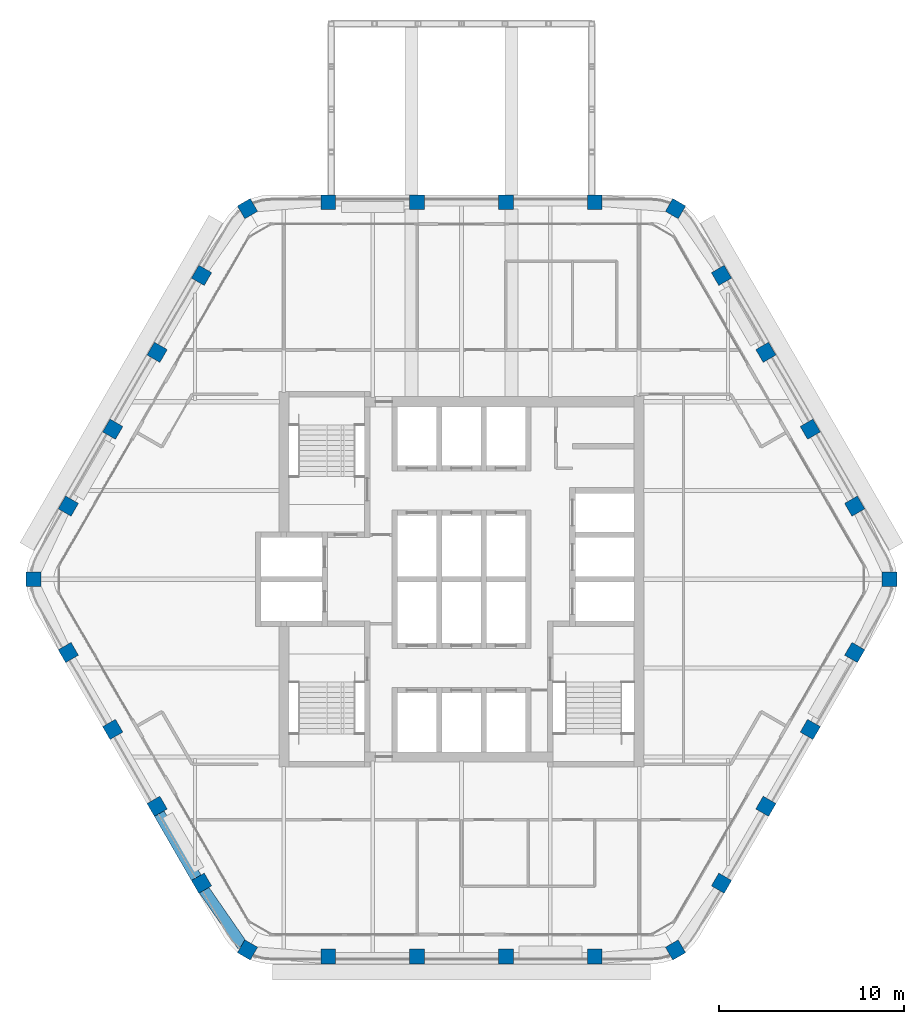
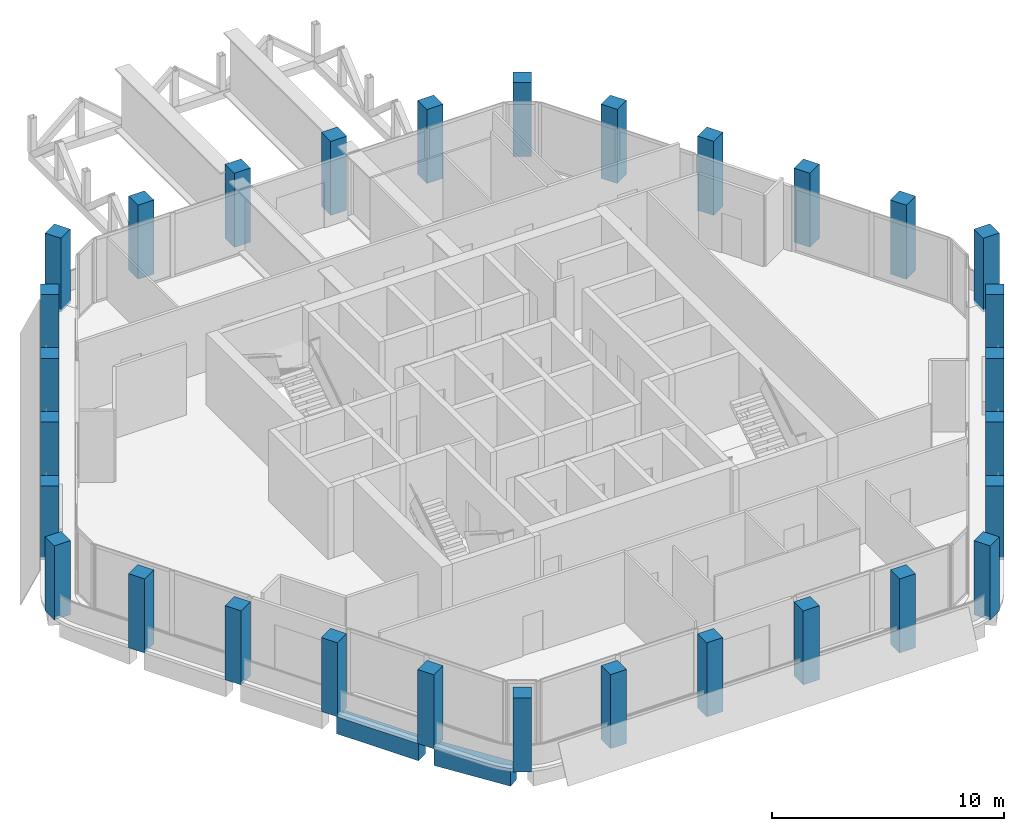
# One storey, part 1 of 14: 30 columns, 2 beams.
"""IFC4 building model written with IfcOpenShell, lengths in metres."""

from ifc_helpers import new_model, si_unit, direction, frame, origin, origin_2d, place, context, subcontext, project, spatial, rectangle, extrude, material, material_profile, profile_set, type_object, element, save


model = new_model("IFC4")

# Units and contexts
model_context = context("Model", 3, precision=1e-05, world=origin(), true_north=direction((0.0, 1.0)))
body_context = subcontext(model_context, "Body", "Model", "MODEL_VIEW")
ifc_project = project(units=[si_unit("LENGTHUNIT", "METRE"), si_unit("AREAUNIT", "SQUARE_METRE"), si_unit("VOLUMEUNIT", "CUBIC_METRE"), si_unit("PLANEANGLEUNIT", "RADIAN"), si_unit("MASSUNIT", "GRAM", prefix="KILO")], contexts=[model_context])

# Site, building, storey
site_placement = place(None, origin())
site = spatial("IfcSite", under=ifc_project, at=site_placement, CompositionType="ELEMENT")
building_placement = place(site_placement, origin())
building = spatial("IfcBuilding", under=site, at=building_placement, Name="Kolab Exchange Tower", CompositionType="ELEMENT")
storey_placement = place(building_placement, frame((0.0, 0.0, 265.699951171875)))
storey = spatial("IfcBuildingStorey", under=building, at=storey_placement, Name="L59", CompositionType="ELEMENT", Elevation=265.699951171875)

# Columns
ifc_material = material(Name="Concrete C50/60", Category="concrete")
ifc_material_profile_1 = material_profile(ifc_material, rectangle(XDim=0.800048828125, YDim=0.800048828125, at=origin_2d()), Name="RC800")
ifc_profile_set_1 = profile_set([ifc_material_profile_1], Name="Concrete C50/60")
column_type = type_object("IfcColumnType", Name="PERIMETER COLUMN 800 SQ C50/60", PredefinedType="COLUMN", material=ifc_profile_set_1)
for number, where, z_axis, x_axis, name in (
    (1, (-11.56787109375, 20.036376953125, -0.14990234375), (0.0, 0.0, 1.0), (0.866025403784, 0.5, 0.0), "col/L59/F1-01"),
    (2, (-7.199951171875, 20.384521484375, -0.14990234375), (0.0, 0.0, 1.0), (1.0, 0.0, 0.0), "col/L59/F1-02"),
    (3, (-2.39990234375, 20.384521484375, -0.14990234375), (0.0, 0.0, 1.0), (1.0, 0.0, 0.0), "col/L59/F1-03"),
    (4, (2.39990234375, 20.384521484375, -0.14990234375), (0.0, 0.0, 1.0), (1.0, 0.0, 0.0), "col/L59/F1-04"),
    (5, (7.199951171875, 20.384521484375, -0.14990234375), (0.0, 0.0, 1.0), (1.0, 0.0, 0.0), "col/L59/F1-05"),
    (6, (11.56787109375, 20.036376953125, -0.14990234375), (0.0, 0.0, 1.0), (0.5, 0.866025403784, 0.0), "col/L59/F2-01"),
    (7, (14.0537109375, 16.427734375, -0.14990234375), (0.0, 0.0, 1.0), (0.866025403784, 0.5, 0.0), "col/L59/F2-02"),
    (8, (16.45361328125, 12.270751953125, -0.14990234375), (0.0, 0.0, 1.0), (0.866025403784, 0.5, 0.0), "col/L59/F2-03"),
    (9, (18.853515625, 8.11376953125, -0.14990234375), (0.0, 0.0, 1.0), (0.866025403784, 0.5, 0.0), "col/L59/F2-04"),
    (10, (21.253662109375, 3.95703125, -0.14990234375), (0.0, 0.0, 1.0), (0.866025403784, 0.5, 0.0), "col/L59/F2-05"),
    (11, (23.135986328125, 0.0, -0.14990234375), (0.0, 0.0, 1.0), (1.0, 0.0, 0.0), "col/L59/F3-01"),
    (12, (21.253662109375, -3.95703125, -0.14990234375), (0.0, 0.0, 1.0), (0.5, 0.866025403784, 0.0), "col/L59/F3-02"),
    (13, (18.853515625, -8.11376953125, -0.14990234375), (0.0, 0.0, 1.0), (0.5, 0.866025403784, 0.0), "col/L59/F3-03"),
    (14, (16.45361328125, -12.270751953125, -0.14990234375), (0.0, 0.0, 1.0), (0.5, 0.866025403784, 0.0), "col/L59/F3-04"),
    (15, (14.0537109375, -16.427734375, -0.14990234375), (0.0, 0.0, 1.0), (0.5, 0.866025403784, 0.0), "col/L59/F3-05"),
    (16, (11.56787109375, -20.036376953125, -0.14990234375), (0.0, 0.0, 1.0), (0.866025403784, 0.5, 0.0), "col/L59/F4-01"),
    (17, (7.199951171875, -20.384521484375, -0.14990234375), (0.0, 0.0, 1.0), (1.0, 0.0, 0.0), "col/L59/F4-02"),
    (18, (2.39990234375, -20.384521484375, -0.14990234375), (0.0, 0.0, 1.0), (1.0, 0.0, 0.0), "col/L59/F4-03"),
    (19, (-2.39990234375, -20.384521484375, -0.14990234375), (0.0, 0.0, 1.0), (1.0, 0.0, 0.0), "col/L59/F4-04"),
    (20, (-7.199951171875, -20.384521484375, -0.14990234375), (0.0, 0.0, 1.0), (1.0, 0.0, 0.0), "col/L59/F4-05"),
    (21, (-11.56787109375, -20.036376953125, -0.14990234375), (0.0, 0.0, 1.0), (0.5, 0.866025403784, 0.0), "col/L59/F5-01"),
    (22, (-14.0537109375, -16.427734375, -0.14990234375), (0.0, 0.0, 1.0), (0.866025403784, 0.5, 0.0), "col/L59/F5-02"),
    (23, (-16.45361328125, -12.270751953125, -0.14990234375), (0.0, 0.0, 1.0), (0.866025403784, 0.5, 0.0), "col/L59/F5-03"),
    (24, (-18.853515625, -8.11376953125, -0.14990234375), (0.0, 0.0, 1.0), (0.866025403784, 0.5, 0.0), "col/L59/F5-04"),
    (25, (-21.253662109375, -3.95703125, -0.14990234375), (0.0, 0.0, 1.0), (0.866025403784, 0.5, 0.0), "col/L59/F5-05"),
    (26, (-23.135986328125, 0.0, -0.14990234375), (0.0, 0.0, 1.0), (1.0, 0.0, 0.0), "col/L59/F6-01"),
    (27, (-21.253662109375, 3.95703125, -0.14990234375), (0.0, 0.0, 1.0), (0.5, 0.866025403784, 0.0), "col/L59/F6-02"),
    (28, (-18.853515625, 8.11376953125, -0.14990234375), (0.0, 0.0, 1.0), (0.5, 0.866025403784, 0.0), "col/L59/F6-03"),
    (29, (-16.45361328125, 12.270751953125, -0.14990234375), (0.0, 0.0, 1.0), (0.5, 0.866025403784, 0.0), "col/L59/F6-04"),
    (30, (-14.0537109375, 16.427734375, -0.14990234375), (0.0, 0.0, 1.0), (0.5, 0.866025403784, 0.0), "col/L59/F6-05"),
):
    element("IfcColumn", number, at=place(storey_placement, frame(where, z_axis=z_axis, x_axis=x_axis)), inside=storey, type_object=column_type, Name=name, PredefinedType="COLUMN", context=body_context, shape_type="SweptSolid", body=[
        extrude(rectangle(XDim=0.800048828125, YDim=0.800048828125, at=origin_2d()), origin(), (0.0, 0.0, 1.0), 3.89990234375),
    ])

# Beams
ifc_material_profile_2 = material_profile(ifc_material, rectangle(XDim=0.60009765625, YDim=0.89990234375, at=origin_2d()), Name="RC600X900")
ifc_profile_set_2 = profile_set([ifc_material_profile_2], Name="Concrete C50/60")
beam_type = type_object("IfcBeamType", Name="SPANDREL BEAM 600X900 C50/60", PredefinedType="BEAM", material=ifc_profile_set_2)
beam_1_placement = place(storey_placement, frame((-11.846923828125, -19.7919921875, -0.599853515625), z_axis=(-0.569005808573, 0.822333502789, 0.0), x_axis=(-0.822333502789, -0.569005808573, 0.0)))
element("IfcBeam", 31, at=beam_1_placement, inside=storey, type_object=beam_type, Name="beam/L59/sp/F5-01", PredefinedType="BEAM", context=body_context, shape_type="SweptSolid", body=[
    extrude(rectangle(XDim=0.60009765625, YDim=0.89990234375, at=origin_2d()), origin(), (0.0, 0.0, 1.0), 3.6689453125),
])
beam_2_placement = place(storey_placement, frame((-14.3203125, -16.166015625, -0.599853515625), z_axis=(-0.499955548806, 0.866051066172, 0.0), x_axis=(-0.866051066172, -0.499955548806, 0.0)))
element("IfcBeam", 32, at=beam_2_placement, inside=storey, type_object=beam_type, Name="beam/L59/sp/F5-02", PredefinedType="BEAM", context=body_context, shape_type="SweptSolid", body=[
    extrude(rectangle(XDim=0.60009765625, YDim=0.89990234375, at=origin_2d()), origin(), (0.0, 0.0, 1.0), 4.079833984375),
])

save(model, "model.ifc")
